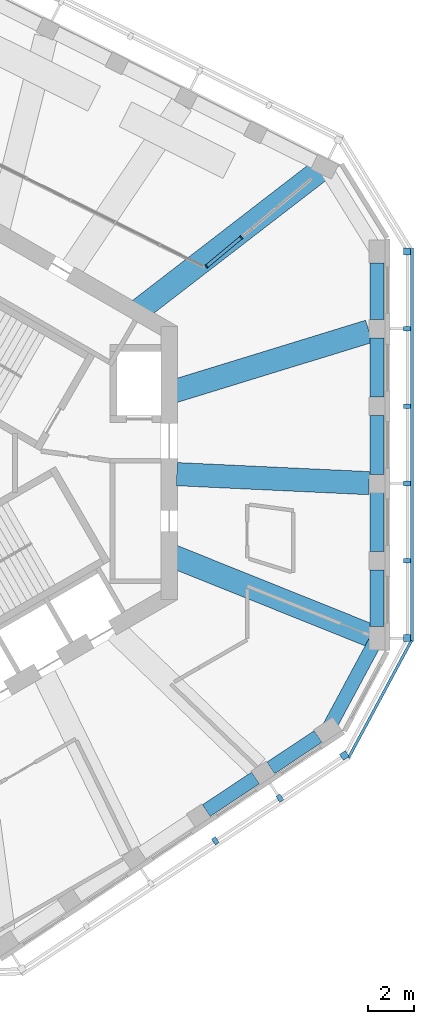
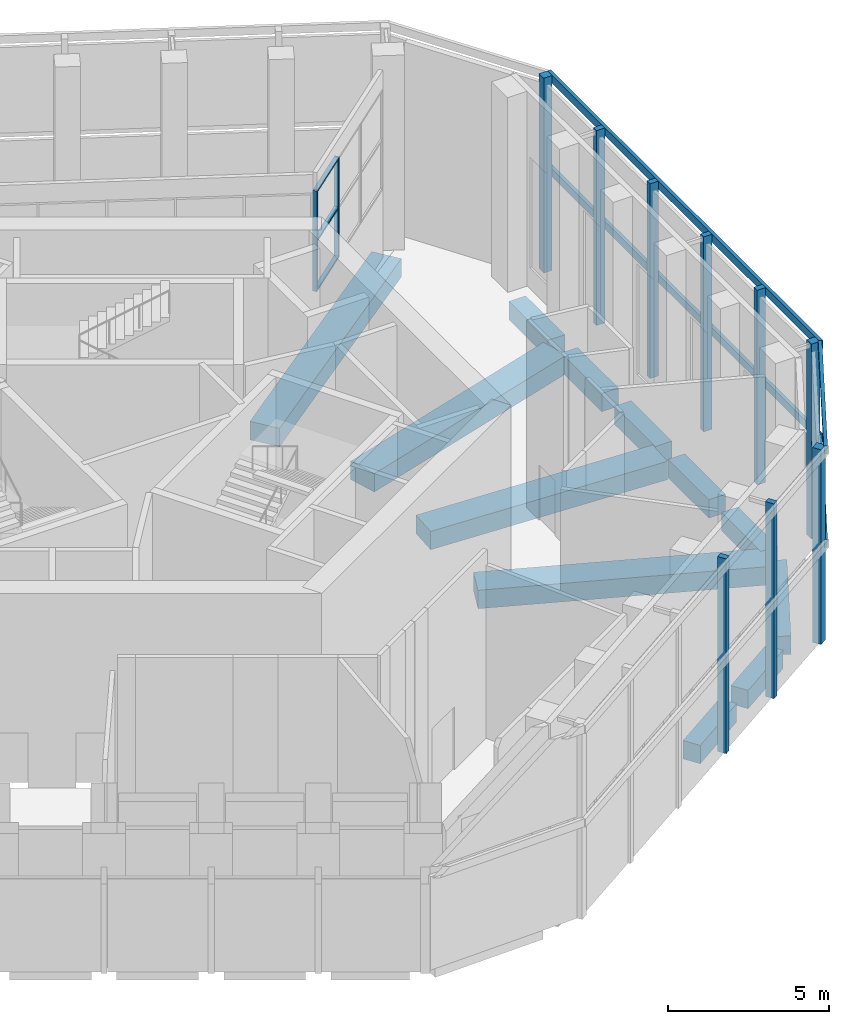
# One storey, part 3 of 16: 18 members, 12 beams, 4 elements without a shape of their own.
"""IFC4 building model written with IfcOpenShell, lengths in metres."""

from ifc_helpers import new_model, si_unit, direction, frame, origin, origin_2d, place, context, subcontext, project, spatial, rectangle, extrude, material, material_profile, profile_set, type_object, element, aggregate, save


model = new_model("IFC4")

# Units and contexts
model_context = context("Model", 3, precision=1e-05, world=origin(), true_north=direction((0.0, 1.0)))
body_context = subcontext(model_context, "Body", "Model", "MODEL_VIEW")
ifc_project = project(units=[si_unit("LENGTHUNIT", "METRE"), si_unit("AREAUNIT", "SQUARE_METRE"), si_unit("VOLUMEUNIT", "CUBIC_METRE"), si_unit("PLANEANGLEUNIT", "RADIAN"), si_unit("MASSUNIT", "GRAM", prefix="KILO")], contexts=[model_context])

# Site, building, storey
site_placement = place(None, origin())
site = spatial("IfcSite", under=ifc_project, at=site_placement, CompositionType="ELEMENT")
building_placement = place(site_placement, origin())
building = spatial("IfcBuilding", under=site, at=building_placement, Name="Vanh Sen Convention Tower", CompositionType="ELEMENT")
storey_placement = place(building_placement, frame((0.0, 0.0, 278.300048828125)))
storey = spatial("IfcBuildingStorey", under=building, at=storey_placement, Name="L69", CompositionType="ELEMENT", Elevation=278.300048828125)

# Curtain wall, members
ifc_material_1 = material(Name="Aluminium structural glazing system", Category="aluminium")
curtain_wall_type_1 = type_object("IfcCurtainWallType", Name="Sky garden structural glazing", PredefinedType="NOTDEFINED", material=ifc_material_1)
curtain_wall_1_placement = place(storey_placement, origin())
curtain_wall_1 = element("IfcCurtainWall", 1, at=curtain_wall_1_placement, inside=storey, type_object=curtain_wall_type_1, Name="Winter garden glazing 5 L69", PredefinedType="NOTDEFINED")
ifc_material_2 = material(Name="Aluminium mullion", Category="aluminium")
ifc_material_profile_1 = material_profile(ifc_material_2, rectangle(XDim=0.14990234375, YDim=0.070068359375, at=origin_2d()), Name="Garden glazing mullion 70 x 150")
ifc_profile_set_1 = profile_set([ifc_material_profile_1], Name="Aluminium mullion")
member_type_1 = type_object("IfcMemberType", Name="Garden glazing mullion 70 x 150", PredefinedType="MULLION", material=ifc_profile_set_1)
member_1_placement = place(storey_placement, frame((11.457763671875, 8.4765625, 2.599853515625), z_axis=(0.0, 0.0, 1.0), x_axis=(-0.640091511877, 0.768298676572, 0.0)))
member_1 = element("IfcMember", 2, at=member_1_placement, type_object=member_type_1, Name="CW5 mullion 1", PredefinedType="MULLION", context=body_context, shape_type="SweptSolid", body=[
    extrude(rectangle(XDim=0.14990234375, YDim=0.070068359375, at=origin_2d()), origin(), (0.0, 0.0, 1.0), 3.820068359375),
])
member_2_placement = place(storey_placement, frame((12.949462890625, 9.719482421875, 2.599853515625), z_axis=(0.0, 0.0, 1.0), x_axis=(-0.640091511877, 0.768298676572, 0.0)))
member_2 = element("IfcMember", 3, at=member_2_placement, type_object=member_type_1, Name="CW5 mullion 2", PredefinedType="MULLION", context=body_context, shape_type="SweptSolid", body=[
    extrude(rectangle(XDim=0.14990234375, YDim=0.070068359375, at=origin_2d()), origin(), (0.0, 0.0, 1.0), 3.820068359375),
])
ifc_material_3 = material(Name="Aluminium transom", Category="aluminium")
ifc_material_profile_2 = material_profile(ifc_material_3, rectangle(XDim=0.14990234375, YDim=0.070068359375, at=origin_2d()), Name="Garden glazing transom 150 x 70")
ifc_profile_set_2 = profile_set([ifc_material_profile_2], Name="Aluminium transom")
member_type_2 = type_object("IfcMemberType", Name="Garden glazing transom 150 x 70", PredefinedType="USERDEFINED", material=ifc_profile_set_2)
member_3_placement = place(storey_placement, frame((11.484619140625, 8.4990234375, 2.635009765625), z_axis=(0.76830680886, 0.640081750607, 0.0), x_axis=(-0.640081750607, 0.76830680886, 0.0)))
member_3 = element("IfcMember", 4, at=member_3_placement, type_object=member_type_2, Name="CW5 transom 1.1", ObjectType="TRANSOM", PredefinedType="USERDEFINED", context=body_context, shape_type="SweptSolid", body=[
    extrude(rectangle(XDim=0.14990234375, YDim=0.070068359375, at=origin_2d()), origin(), (0.0, 0.0, 1.0), 1.87158203125),
])
member_4_placement = place(storey_placement, frame((11.484619140625, 8.4990234375, 4.510009765625), z_axis=(0.76830680886, 0.640081750607, 0.0), x_axis=(-0.640081750607, 0.76830680886, 0.0)))
member_4 = element("IfcMember", 5, at=member_4_placement, type_object=member_type_2, Name="CW5 transom 1.2", ObjectType="TRANSOM", PredefinedType="USERDEFINED", context=body_context, shape_type="SweptSolid", body=[
    extrude(rectangle(XDim=0.14990234375, YDim=0.070068359375, at=origin_2d()), origin(), (0.0, 0.0, 1.0), 1.87158203125),
])
member_5_placement = place(storey_placement, frame((11.484619140625, 8.4990234375, 6.385009765625), z_axis=(0.76830680886, 0.640081750607, 0.0), x_axis=(-0.640081750607, 0.76830680886, 0.0)))
member_5 = element("IfcMember", 6, at=member_5_placement, type_object=member_type_2, Name="CW5 transom 1.3", ObjectType="TRANSOM", PredefinedType="USERDEFINED", context=body_context, shape_type="SweptSolid", body=[
    extrude(rectangle(XDim=0.14990234375, YDim=0.070068359375, at=origin_2d()), origin(), (0.0, 0.0, 1.0), 1.87158203125),
])
aggregate(curtain_wall_1, [member_1, member_2, member_3, member_4, member_5])

ifc_material_4 = material(Name="Concrete C50/60", Category="concrete")
curtain_wall_type_2 = type_object("IfcCurtainWallType", Name="Outer skin office zone", PredefinedType="NOTDEFINED", material=ifc_material_4)
curtain_wall_2_placement = place(storey_placement, origin())
curtain_wall_2 = element("IfcCurtainWall", 7, at=curtain_wall_2_placement, inside=storey, type_object=curtain_wall_type_2, Name="OUTER SKIN E L69", PredefinedType="NOTDEFINED")
ifc_material_profile_3 = material_profile(ifc_material_4, rectangle(XDim=0.300048828125, YDim=0.300048828125, at=origin_2d()), Name="Outer skin precast corner fin 300 x 300")
ifc_profile_set_3 = profile_set([ifc_material_profile_3], Name="Concrete C50/60")
member_type_3 = type_object("IfcMemberType", Name="Outer skin precast corner fin 300 x 300", PredefinedType="MULLION", material=ifc_profile_set_3)
member_6_placement = place(storey_placement, frame((20.10009765625, -7.546630859375, 0.0), z_axis=(0.0, 0.0, 1.0), x_axis=(0.0, 1.0, 0.0)))
member_6 = element("IfcMember", 8, at=member_6_placement, type_object=member_type_3, Name="OUTER SKIN CORNER FIN 1 E L69", PredefinedType="MULLION", context=body_context, shape_type="SweptSolid", body=[
    extrude(rectangle(XDim=0.300048828125, YDim=0.300048828125, at=origin_2d()), origin(), (0.0, 0.0, 1.0), 7.39990234375),
])
member_7_placement = place(storey_placement, frame((20.10009765625, 9.111572265625, 0.0), z_axis=(0.0, 0.0, 1.0), x_axis=(0.0, 1.0, 0.0)))
member_7 = element("IfcMember", 9, at=member_7_placement, type_object=member_type_3, Name="OUTER SKIN CORNER FIN 6 E L69", PredefinedType="MULLION", context=body_context, shape_type="SweptSolid", body=[
    extrude(rectangle(XDim=0.300048828125, YDim=0.300048828125, at=origin_2d()), origin(), (0.0, 0.0, 1.0), 7.39990234375),
])

# Curtain wall, member
curtain_wall_3_placement = place(storey_placement, origin())
curtain_wall_3 = element("IfcCurtainWall", 10, at=curtain_wall_3_placement, inside=storey, type_object=curtain_wall_type_2, Name="OUTER SKIN SE L69", PredefinedType="NOTDEFINED")
member_8_placement = place(storey_placement, frame((17.386962890625, -12.595703125, 0.0), z_axis=(0.0, 0.0, 1.0), x_axis=(0.833885822067, 0.551936985312, 0.0)))
member_8 = element("IfcMember", 11, at=member_8_placement, type_object=member_type_3, Name="OUTER SKIN CORNER FIN 6 SE L69", PredefinedType="MULLION", context=body_context, shape_type="SweptSolid", body=[
    extrude(rectangle(XDim=0.300048828125, YDim=0.300048828125, at=origin_2d()), origin(), (0.0, 0.0, 1.0), 7.39990234375),
])

# Member
ifc_material_profile_4 = material_profile(ifc_material_4, rectangle(XDim=0.199951171875, YDim=0.300048828125, at=origin_2d()), Name="Outer skin precast fin 200 x 300")
ifc_profile_set_4 = profile_set([ifc_material_profile_4], Name="Concrete C50/60")
member_type_4 = type_object("IfcMemberType", Name="Outer skin precast fin 200 x 300", PredefinedType="MULLION", material=ifc_profile_set_4)
member_9_placement = place(storey_placement, frame((20.10009765625, -4.215087890625, 0.0), z_axis=(0.0, 0.0, 1.0), x_axis=(0.0, 1.0, 0.0)))
member_9 = element("IfcMember", 12, at=member_9_placement, type_object=member_type_4, Name="OUTER SKIN fin 2 E L69", PredefinedType="MULLION", context=body_context, shape_type="SweptSolid", body=[
    extrude(rectangle(XDim=0.199951171875, YDim=0.300048828125, at=origin_2d()), origin(), (0.0, 0.0, 1.0), 7.39990234375),
])

member_10_placement = place(storey_placement, frame((20.10009765625, -0.88330078125, 0.0), z_axis=(0.0, 0.0, 1.0), x_axis=(0.0, 1.0, 0.0)))
member_10 = element("IfcMember", 13, at=member_10_placement, type_object=member_type_4, Name="OUTER SKIN fin 3 E L69", PredefinedType="MULLION", context=body_context, shape_type="SweptSolid", body=[
    extrude(rectangle(XDim=0.199951171875, YDim=0.300048828125, at=origin_2d()), origin(), (0.0, 0.0, 1.0), 7.39990234375),
])

member_11_placement = place(storey_placement, frame((20.10009765625, 2.4482421875, 0.0), z_axis=(0.0, 0.0, 1.0), x_axis=(0.0, 1.0, 0.0)))
member_11 = element("IfcMember", 14, at=member_11_placement, type_object=member_type_4, Name="OUTER SKIN fin 4 E L69", PredefinedType="MULLION", context=body_context, shape_type="SweptSolid", body=[
    extrude(rectangle(XDim=0.199951171875, YDim=0.300048828125, at=origin_2d()), origin(), (0.0, 0.0, 1.0), 7.39990234375),
])

member_12_placement = place(storey_placement, frame((20.10009765625, 5.77978515625, 0.0), z_axis=(0.0, 0.0, 1.0), x_axis=(0.0, 1.0, 0.0)))
member_12 = element("IfcMember", 15, at=member_12_placement, type_object=member_type_4, Name="OUTER SKIN fin 5 E L69", PredefinedType="MULLION", context=body_context, shape_type="SweptSolid", body=[
    extrude(rectangle(XDim=0.199951171875, YDim=0.300048828125, at=origin_2d()), origin(), (0.0, 0.0, 1.0), 7.39990234375),
])

member_13_placement = place(storey_placement, frame((11.83056640625, -16.273681640625, 0.0), z_axis=(0.0, 0.0, 1.0), x_axis=(0.833885822067, 0.551936985312, 0.0)))
member_13 = element("IfcMember", 16, at=member_13_placement, type_object=member_type_4, Name="OUTER SKIN fin 4 SE L69", PredefinedType="MULLION", context=body_context, shape_type="SweptSolid", body=[
    extrude(rectangle(XDim=0.199951171875, YDim=0.300048828125, at=origin_2d()), origin(), (0.0, 0.0, 1.0), 7.39990234375),
])

member_14_placement = place(storey_placement, frame((14.60888671875, -14.434814453125, 0.0), z_axis=(0.0, 0.0, 1.0), x_axis=(0.833885822067, 0.551936985312, 0.0)))
member_14 = element("IfcMember", 17, at=member_14_placement, type_object=member_type_4, Name="OUTER SKIN fin 5 SE L69", PredefinedType="MULLION", context=body_context, shape_type="SweptSolid", body=[
    extrude(rectangle(XDim=0.199951171875, YDim=0.300048828125, at=origin_2d()), origin(), (0.0, 0.0, 1.0), 7.39990234375),
])

aggregate(curtain_wall_3, [member_13, member_14, member_8])

ifc_material_profile_5 = material_profile(ifc_material_4, rectangle(XDim=0.1201171875, YDim=0.300048828125, at=origin_2d()), Name="Outer skin precast spandrel band 300 x 120")
ifc_profile_set_5 = profile_set([ifc_material_profile_5], Name="Concrete C50/60")
member_type_5 = type_object("IfcMemberType", Name="Outer skin precast spandrel band 300 x 120", PredefinedType="USERDEFINED", material=ifc_profile_set_5)
member_15_placement = place(storey_placement, frame((20.31005859375, -7.69677734375, 7.25), z_axis=(0.0, 1.0, 0.0), x_axis=(-1.0, 0.0, 0.0)))
member_15 = element("IfcMember", 18, at=member_15_placement, type_object=member_type_5, Name="OUTER SKIN spandrel band E L69", ObjectType="TRANSOM", PredefinedType="USERDEFINED", context=body_context, shape_type="SweptSolid", body=[
    extrude(rectangle(XDim=0.1201171875, YDim=0.300048828125, at=origin_2d()), origin(), (0.0, 0.0, 1.0), 16.958251953125),
])

member_16_placement = place(storey_placement, frame((20.31005859375, -7.69677734375, 3.699951171875), z_axis=(0.0, 1.0, 0.0), x_axis=(-1.0, 0.0, 0.0)))
member_16 = element("IfcMember", 19, at=member_16_placement, type_object=member_type_5, Name="OUTER SKIN spandrel band E L69 mid", ObjectType="TRANSOM", PredefinedType="USERDEFINED", context=body_context, shape_type="SweptSolid", body=[
    extrude(rectangle(XDim=0.1201171875, YDim=0.300048828125, at=origin_2d()), origin(), (0.0, 0.0, 1.0), 16.958251953125),
])

aggregate(curtain_wall_2, [member_6, member_9, member_10, member_11, member_12, member_7, member_15, member_16])

# Curtain wall, members
curtain_wall_4_placement = place(storey_placement, origin())
curtain_wall_4 = element("IfcCurtainWall", 20, at=curtain_wall_4_placement, inside=storey, type_object=curtain_wall_type_2, Name="OUTER SKIN CH6 L69", PredefinedType="NOTDEFINED")
member_17_placement = place(storey_placement, frame((17.572021484375, -12.695068359375, 7.25), z_axis=(0.473309680768, 0.880896104028, 0.0), x_axis=(-0.880896104028, 0.473309680768, 0.0)))
member_17 = element("IfcMember", 21, at=member_17_placement, type_object=member_type_5, Name="OUTER SKIN spandrel band CH6 L69", ObjectType="TRANSOM", PredefinedType="USERDEFINED", context=body_context, shape_type="SweptSolid", body=[
    extrude(rectangle(XDim=0.1201171875, YDim=0.300048828125, at=origin_2d()), origin(), (0.0, 0.0, 1.0), 5.731689453125),
])
member_18_placement = place(storey_placement, frame((17.572021484375, -12.695068359375, 3.699951171875), z_axis=(0.473309680768, 0.880896104028, 0.0), x_axis=(-0.880896104028, 0.473309680768, 0.0)))
member_18 = element("IfcMember", 22, at=member_18_placement, type_object=member_type_5, Name="OUTER SKIN spandrel band CH6 L69 mid", ObjectType="TRANSOM", PredefinedType="USERDEFINED", context=body_context, shape_type="SweptSolid", body=[
    extrude(rectangle(XDim=0.1201171875, YDim=0.300048828125, at=origin_2d()), origin(), (0.0, 0.0, 1.0), 5.731689453125),
])
aggregate(curtain_wall_4, [member_17, member_18])

# Beams
ifc_material_5 = material(Name="Concrete C50/60", Category="concrete")
ifc_material_profile_6 = material_profile(ifc_material_5, rectangle(XDim=1.0, YDim=0.699951171875, at=origin_2d()), Name="RC 1000X700")
ifc_profile_set_6 = profile_set([ifc_material_profile_6], Name="Concrete C50/60")
beam_type_1 = type_object("IfcBeamType", Name="Radial floor beam 1000 x 700", PredefinedType="BEAM", material=ifc_profile_set_6)
beam_1_placement = place(storey_placement, frame((18.715087890625, -7.5126953125, -0.699951171875), z_axis=(-0.928018321238, 0.372534556044, 0.0), x_axis=(-0.372534556044, -0.928018321238, 0.0)))
element("IfcBeam", 23, at=beam_1_placement, inside=storey, type_object=beam_type_1, Name="Radial beam 01 L69", PredefinedType="BEAM", context=body_context, shape_type="SweptSolid", body=[
    extrude(rectangle(XDim=1.0, YDim=0.699951171875, at=origin_2d()), origin(), (0.0, 0.0, 1.0), 9.38134765625),
])
beam_2_placement = place(storey_placement, frame((18.455078125, -0.8671875, -0.699951171875), z_axis=(-0.998898306547, 0.046927318026, 0.0), x_axis=(-0.046927318026, -0.998898306547, 0.0)))
element("IfcBeam", 24, at=beam_2_placement, inside=storey, type_object=beam_type_1, Name="Radial beam 02 L69", PredefinedType="BEAM", context=body_context, shape_type="SweptSolid", body=[
    extrude(rectangle(XDim=1.0, YDim=0.699951171875, at=origin_2d()), origin(), (0.0, 0.0, 1.0), 8.292724609375),
])
beam_3_placement = place(storey_placement, frame((18.454833984375, 5.673828125, -0.699951171875), z_axis=(-0.955847406594, -0.293863463718, 0.0), x_axis=(0.293863463718, -0.955847406594, 0.0)))
element("IfcBeam", 25, at=beam_3_placement, inside=storey, type_object=beam_type_1, Name="Radial beam 03 L69", PredefinedType="BEAM", context=body_context, shape_type="SweptSolid", body=[
    extrude(rectangle(XDim=1.0, YDim=0.699951171875, at=origin_2d()), origin(), (0.0, 0.0, 1.0), 8.794921875),
])
beam_4_placement = place(storey_placement, frame((16.455810546875, 12.692138671875, -0.699951171875), z_axis=(-0.791838119257, -0.610731031545, 0.0), x_axis=(0.610731031545, -0.791838119257, 0.0)))
element("IfcBeam", 26, at=beam_4_placement, inside=storey, type_object=beam_type_1, Name="Radial beam 04 L69", PredefinedType="BEAM", context=body_context, shape_type="SweptSolid", body=[
    extrude(rectangle(XDim=1.0, YDim=0.699951171875, at=origin_2d()), origin(), (0.0, 0.0, 1.0), 9.96337890625),
])
ifc_material_profile_7 = material_profile(ifc_material_5, rectangle(XDim=0.60009765625, YDim=0.699951171875, at=origin_2d()), Name="RC 600X700")
ifc_profile_set_7 = profile_set([ifc_material_profile_7], Name="Concrete C50/60")
beam_type_2 = type_object("IfcBeamType", Name="Spandrel beam 600 x 700", PredefinedType="SPANDREL", material=ifc_profile_set_7)
beam_5_placement = place(storey_placement, frame((18.800048828125, -7.0517578125, -0.699951171875), z_axis=(0.0, 1.0, 0.0), x_axis=(-1.0, 0.0, 0.0)))
element("IfcBeam", 27, at=beam_5_placement, inside=storey, type_object=beam_type_2, Name="Spandrel beam 01 L69", PredefinedType="SPANDREL", context=body_context, shape_type="SweptSolid", body=[
    extrude(rectangle(XDim=0.60009765625, YDim=0.699951171875, at=origin_2d()), origin(), (0.0, 0.0, 1.0), 2.441650390625),
])
beam_6_placement = place(storey_placement, frame((18.800048828125, -3.820068359375, -0.699951171875), z_axis=(0.0, 1.0, 0.0), x_axis=(-1.0, 0.0, 0.0)))
element("IfcBeam", 28, at=beam_6_placement, inside=storey, type_object=beam_type_2, Name="Spandrel beam 02 L69", PredefinedType="SPANDREL", context=body_context, shape_type="SweptSolid", body=[
    extrude(rectangle(XDim=0.60009765625, YDim=0.699951171875, at=origin_2d()), origin(), (0.0, 0.0, 1.0), 2.541748046875),
])
beam_7_placement = place(storey_placement, frame((18.800048828125, -0.48828125, -0.699951171875), z_axis=(0.0, 1.0, 0.0), x_axis=(-1.0, 0.0, 0.0)))
element("IfcBeam", 29, at=beam_7_placement, inside=storey, type_object=beam_type_2, Name="Spandrel beam 03 L69", PredefinedType="SPANDREL", context=body_context, shape_type="SweptSolid", body=[
    extrude(rectangle(XDim=0.60009765625, YDim=0.699951171875, at=origin_2d()), origin(), (0.0, 0.0, 1.0), 2.54150390625),
])
beam_8_placement = place(storey_placement, frame((18.800048828125, 2.84326171875, -0.699951171875), z_axis=(0.0, 1.0, 0.0), x_axis=(-1.0, 0.0, 0.0)))
element("IfcBeam", 30, at=beam_8_placement, inside=storey, type_object=beam_type_2, Name="Spandrel beam 04 L69", PredefinedType="SPANDREL", context=body_context, shape_type="SweptSolid", body=[
    extrude(rectangle(XDim=0.60009765625, YDim=0.699951171875, at=origin_2d()), origin(), (0.0, 0.0, 1.0), 2.541748046875),
])
beam_9_placement = place(storey_placement, frame((18.800048828125, 6.1748046875, -0.699951171875), z_axis=(0.0, 1.0, 0.0), x_axis=(-1.0, 0.0, 0.0)))
element("IfcBeam", 31, at=beam_9_placement, inside=storey, type_object=beam_type_2, Name="Spandrel beam 05 L69", PredefinedType="SPANDREL", context=body_context, shape_type="SweptSolid", body=[
    extrude(rectangle(XDim=0.60009765625, YDim=0.699951171875, at=origin_2d()), origin(), (0.0, 0.0, 1.0), 2.441650390625),
])
beam_10_placement = place(storey_placement, frame((11.4423828125, -14.971435546875, -0.699951171875), z_axis=(0.833907502564, 0.551904228257, 0.0), x_axis=(-0.551904228257, 0.833907502564, 0.0)))
element("IfcBeam", 32, at=beam_10_placement, inside=storey, type_object=beam_type_2, Name="Spandrel beam 34 L69", PredefinedType="SPANDREL", context=body_context, shape_type="SweptSolid", body=[
    extrude(rectangle(XDim=0.60009765625, YDim=0.699951171875, at=origin_2d()), origin(), (0.0, 0.0, 1.0), 2.541748046875),
])
beam_11_placement = place(storey_placement, frame((14.220703125, -13.132568359375, -0.699951171875), z_axis=(0.833861138807, 0.551974275838, 0.0), x_axis=(-0.551974275838, 0.833861138807, 0.0)))
element("IfcBeam", 33, at=beam_11_placement, inside=storey, type_object=beam_type_2, Name="Spandrel beam 35 L69", PredefinedType="SPANDREL", context=body_context, shape_type="SweptSolid", body=[
    extrude(rectangle(XDim=0.60009765625, YDim=0.699951171875, at=origin_2d()), origin(), (0.0, 0.0, 1.0), 2.44140625),
])
beam_12_placement = place(storey_placement, frame((16.752685546875, -11.356689453125, -0.699951171875), z_axis=(0.473334682532, 0.880882670003, 0.0), x_axis=(-0.880882670003, 0.473334682532, 0.0)))
element("IfcBeam", 34, at=beam_12_placement, inside=storey, type_object=beam_type_2, Name="Spandrel beam 36 L69", PredefinedType="SPANDREL", context=body_context, shape_type="SweptSolid", body=[
    extrude(rectangle(XDim=0.60009765625, YDim=0.699951171875, at=origin_2d()), origin(), (0.0, 0.0, 1.0), 4.14892578125),
])

save(model, "model.ifc")
